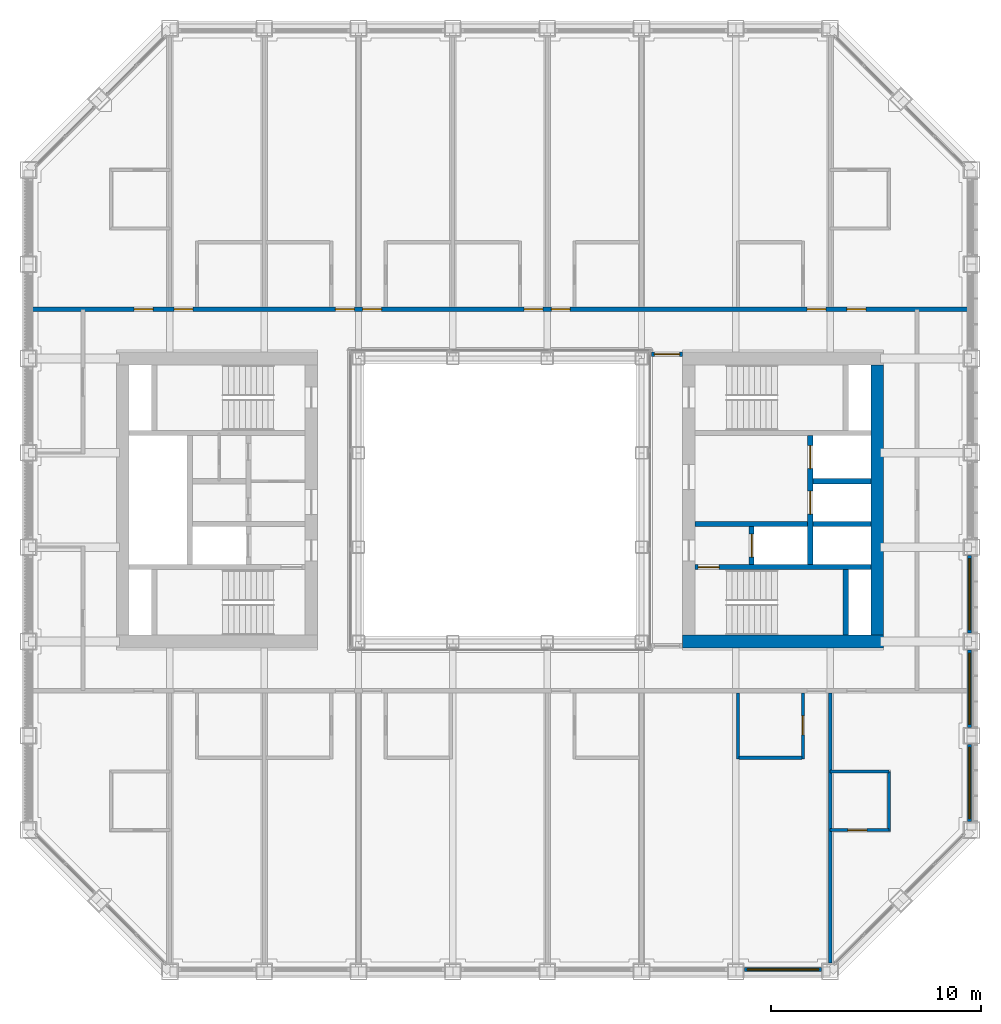
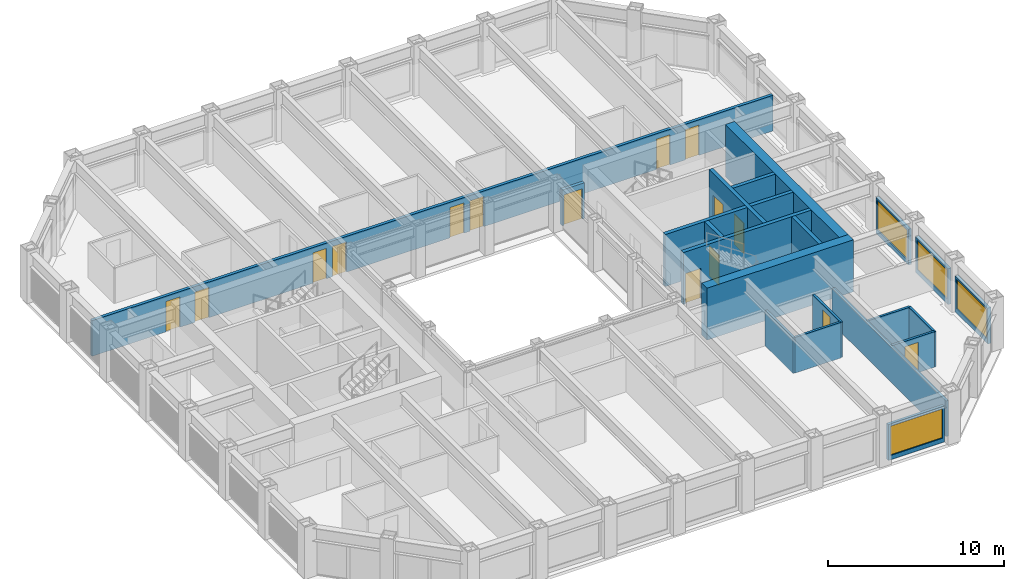
# One storey, part 12 of 17: 22 walls, 15 doors, 4 windows, 19 openings.
"""IFC4 building model written with IfcOpenShell, lengths in metres."""

from ifc_helpers import new_model, si_unit, direction, frame, frame_2d, origin, place, context, subcontext, project, spatial, rectangle, extrude, material, layer, layer_set, type_object, element, fill, save


model = new_model("IFC4")

# Units and contexts
model_context = context("Model", 3, precision=1e-05, world=origin(), true_north=direction((0.0, 1.0)))
body_context = subcontext(model_context, "Body", "Model", "MODEL_VIEW")
ifc_project = project(units=[si_unit("LENGTHUNIT", "METRE"), si_unit("AREAUNIT", "SQUARE_METRE"), si_unit("VOLUMEUNIT", "CUBIC_METRE"), si_unit("PLANEANGLEUNIT", "RADIAN"), si_unit("MASSUNIT", "GRAM", prefix="KILO")], contexts=[model_context])

# Site, building, storey
site_placement = place(None, origin())
site = spatial("IfcSite", under=ifc_project, at=site_placement, CompositionType="ELEMENT")
building_placement = place(site_placement, origin())
building = spatial("IfcBuilding", under=site, at=building_placement, Name="Msasa Ring Tower", CompositionType="ELEMENT")
storey_placement = place(building_placement, frame((0.0, 0.0, 147.199951171875)))
storey = spatial("IfcBuildingStorey", under=building, at=storey_placement, Name="L38", CompositionType="ELEMENT", Elevation=147.199951171875)

# Walls
ifc_material_1 = material(Name="Concrete C60/75", Category="concrete")
ifc_layer_1 = layer(ifc_material_1, 0.60009765625)
ifc_layer_set_1 = layer_set([ifc_layer_1], Name="CW2 CORE WALL 600")
wall_type_1 = type_object("IfcWallType", Name="CW2 CORE WALL 600", PredefinedType="SHEAR", material=ifc_layer_set_1)
wall_1_placement = place(storey_placement, frame((8.699951171875, -6.75, 0.0), z_axis=(0.0, 0.0, 1.0), x_axis=(1.0, 0.0, 0.0)))
element("IfcWall", 1, at=wall_1_placement, inside=storey, type_object=wall_type_1, Name="E core wall S L38", PredefinedType="SHEAR", context=body_context, shape_type="SweptSolid", body=[
    extrude(rectangle(XDim=9.60009765625, YDim=0.60009765625, at=frame_2d((4.800048828125, 0.0))), origin(), (0.0, 0.0, 1.0), 3.60009765625),
])
wall_2_placement = place(storey_placement, frame((18.0, -6.449951171875, 0.0), z_axis=(0.0, 0.0, 1.0), x_axis=(0.0, 1.0, 0.0)))
element("IfcWall", 2, at=wall_2_placement, inside=storey, type_object=wall_type_1, Name="E core wall E L38", PredefinedType="SHEAR", context=body_context, shape_type="SweptSolid", body=[
    extrude(rectangle(XDim=12.89990234375, YDim=0.60009765625, at=frame_2d((6.449951171875, 0.0))), origin(), (0.0, 0.0, 1.0), 3.60009765625),
])

# Wall, opening, door
ifc_material_2 = material(Name="Concrete C60/75", Category="concrete")
ifc_layer_2 = layer(ifc_material_2, 0.25)
ifc_layer_set_2 = layer_set([ifc_layer_2], Name="CW4 CORE INNER WALL 250")
wall_type_2 = type_object("IfcWallType", Name="CW4 CORE INNER WALL 250", PredefinedType="SHEAR", material=ifc_layer_set_2)
wall_3_placement = place(storey_placement, frame((9.300048828125, -3.199951171875, 0.0), z_axis=(0.0, 0.0, 1.0), x_axis=(1.0, 0.0, 0.0)))
wall_3 = element("IfcWall", 3, at=wall_3_placement, inside=storey, type_object=wall_type_2, Name="E core wall STAIRA L38", PredefinedType="SHEAR", context=body_context, shape_type="SweptSolid", body=[
    extrude(rectangle(XDim=8.39990234375, YDim=0.25, at=frame_2d((4.199951171875, 0.0))), origin(), (0.0, 0.0, 1.0), 3.60009765625),
])
opening_1_placement = place(wall_3_placement, frame((0.14990234375, 0.0, 0.0)))
opening_1 = element("IfcOpeningElement", 4, at=opening_1_placement, cuts=wall_3, Name="Opening HC-031", PredefinedType="OPENING", context=body_context, shape_type="SweptSolid", body=[
    extrude(rectangle(XDim=1.0, YDim=2.10009765625, at=frame_2d((0.5, 1.050048828125))), frame((0.0, 0.135009765625, 0.0), z_axis=(0.0, -1.0, 0.0), x_axis=(1.0, 0.0, 0.0)), (0.0, 0.0, 1.0), 0.27001953125),
])
ifc_material_3 = material(Name="Timber door leaf in a steel frame", Category="steel")
door_type_1 = type_object("IfcDoorType", Name="D6 STAIR DOOR 1000x2100", OperationType="SINGLE_SWING_LEFT", PredefinedType="DOOR", material=ifc_material_3)
door_1_placement = place(opening_1_placement, origin())
door_1 = element("IfcDoor", 5, at=door_1_placement, inside=storey, type_object=door_type_1, Name="Door L38-ESTA", OperationType="SINGLE_SWING_LEFT", OverallHeight=2.10009765625, OverallWidth=1.0, PredefinedType="DOOR", context=body_context, shape_type="SweptSolid", body=[
    extrude(rectangle(XDim=1.0, YDim=2.10009765625, at=frame_2d((0.5, 1.050048828125))), frame((0.0, 0.02490234375, 0.0), z_axis=(0.0, -1.0, 0.0), x_axis=(1.0, 0.0, 0.0)), (0.0, 0.0, 1.0), 0.050048828125),
])
fill(opening_1, door_1)

# Walls
wall_4_placement = place(storey_placement, frame((16.5, -6.449951171875, 0.0), z_axis=(0.0, 0.0, 1.0), x_axis=(0.0, 1.0, 0.0)))
element("IfcWall", 6, at=wall_4_placement, inside=storey, type_object=wall_type_2, Name="E core wall RISERA L38", PredefinedType="SHEAR", context=body_context, shape_type="SweptSolid", body=[
    extrude(rectangle(XDim=3.125, YDim=0.25, at=frame_2d((1.5625, 0.0))), origin(), (0.0, 0.0, 1.0), 3.60009765625),
])
wall_5_placement = place(storey_placement, frame((9.300048828125, -1.14990234375, 0.0), z_axis=(0.0, 0.0, 1.0), x_axis=(1.0, 0.0, 0.0)))
element("IfcWall", 7, at=wall_5_placement, inside=storey, type_object=wall_type_2, Name="E core wall FFL L38", PredefinedType="SHEAR", context=body_context, shape_type="SweptSolid", body=[
    extrude(rectangle(XDim=5.375, YDim=0.25, at=frame_2d((2.6875, 0.0))), origin(), (0.0, 0.0, 1.0), 3.60009765625),
])

# Wall, opening, door
wall_6_placement = place(storey_placement, frame((12.0, -3.074951171875, 0.0), z_axis=(0.0, 0.0, 1.0), x_axis=(0.0, 1.0, 0.0)))
wall_6 = element("IfcWall", 8, at=wall_6_placement, inside=storey, type_object=wall_type_2, Name="E core wall LOBBY L38", PredefinedType="SHEAR", context=body_context, shape_type="SweptSolid", body=[
    extrude(rectangle(XDim=1.800048828125, YDim=0.25, at=frame_2d((0.89990234375, 0.0))), origin(), (0.0, 0.0, 1.0), 3.60009765625),
])
opening_2_placement = place(wall_6_placement, frame((0.35009765625, 0.0, 0.0)))
opening_2 = element("IfcOpeningElement", 9, at=opening_2_placement, cuts=wall_6, Name="Opening LD1", PredefinedType="OPENING", context=body_context, shape_type="SweptSolid", body=[
    extrude(rectangle(XDim=1.10009765625, YDim=2.10009765625, at=frame_2d((0.550048828125, 1.050048828125))), frame((0.0, 0.135009765625, 0.0), z_axis=(0.0, -1.0, 0.0), x_axis=(1.0, 0.0, 0.0)), (0.0, 0.0, 1.0), 0.27001953125),
])
ifc_material_4 = material(Name="Stainless steel lift landing door", Category="steel")
door_type_2 = type_object("IfcDoorType", Name="LD1 LIFT LANDING DOOR 1100x2100", OperationType="DOUBLE_DOOR_SLIDING", PredefinedType="DOOR", material=ifc_material_4)
door_2_placement = place(opening_2_placement, origin())
door_2 = element("IfcDoor", 10, at=door_2_placement, inside=storey, type_object=door_type_2, Name="Lift landing door FL-E L38", OperationType="DOUBLE_DOOR_SLIDING", OverallHeight=2.10009765625, OverallWidth=1.10009765625, PredefinedType="DOOR", context=body_context, shape_type="SweptSolid", body=[
    extrude(rectangle(XDim=1.10009765625, YDim=2.10009765625, at=frame_2d((0.550048828125, 1.050048828125))), frame((0.0, 0.02490234375, 0.0), z_axis=(0.0, -1.0, 0.0), x_axis=(1.0, 0.0, 0.0)), (0.0, 0.0, 1.0), 0.050048828125),
])
fill(opening_2, door_2)

# Wall, openings, doors
wall_7_placement = place(storey_placement, frame((14.800048828125, -3.074951171875, 0.0), z_axis=(0.0, 0.0, 1.0), x_axis=(0.0, 1.0, 0.0)))
wall_7 = element("IfcWall", 11, at=wall_7_placement, inside=storey, type_object=wall_type_2, Name="E core wall SHAFT L38", PredefinedType="SHEAR", context=body_context, shape_type="SweptSolid", body=[
    extrude(rectangle(XDim=6.14990234375, YDim=0.25, at=frame_2d((3.074951171875, 0.0))), origin(), (0.0, 0.0, 1.0), 3.60009765625),
])
opening_3_placement = place(wall_7_placement, frame((2.39990234375, 0.0, 0.0)))
opening_3 = element("IfcOpeningElement", 12, at=opening_3_placement, cuts=wall_7, Name="Opening LD1", PredefinedType="OPENING", context=body_context, shape_type="SweptSolid", body=[
    extrude(rectangle(XDim=1.10009765625, YDim=2.10009765625, at=frame_2d((0.550048828125, 1.050048828125))), frame((0.0, 0.135009765625, 0.0), z_axis=(0.0, -1.0, 0.0), x_axis=(1.0, 0.0, 0.0)), (0.0, 0.0, 1.0), 0.27001953125),
])
opening_4_placement = place(wall_7_placement, frame((4.574951171875, 0.0, 0.0)))
opening_4 = element("IfcOpeningElement", 13, at=opening_4_placement, cuts=wall_7, Name="Opening LD1", PredefinedType="OPENING", context=body_context, shape_type="SweptSolid", body=[
    extrude(rectangle(XDim=1.10009765625, YDim=2.10009765625, at=frame_2d((0.550048828125, 1.050048828125))), frame((0.0, 0.135009765625, 0.0), z_axis=(0.0, -1.0, 0.0), x_axis=(1.0, 0.0, 0.0)), (0.0, 0.0, 1.0), 0.27001953125),
])
door_3_placement = place(opening_3_placement, origin())
door_3 = element("IfcDoor", 14, at=door_3_placement, inside=storey, type_object=door_type_2, Name="Lift landing door PL-H1 L38", OperationType="DOUBLE_DOOR_SLIDING", OverallHeight=2.10009765625, OverallWidth=1.10009765625, PredefinedType="DOOR", context=body_context, shape_type="SweptSolid", body=[
    extrude(rectangle(XDim=1.10009765625, YDim=2.10009765625, at=frame_2d((0.550048828125, 1.050048828125))), frame((0.0, 0.02490234375, 0.0), z_axis=(0.0, -1.0, 0.0), x_axis=(1.0, 0.0, 0.0)), (0.0, 0.0, 1.0), 0.050048828125),
])
fill(opening_3, door_3)
door_4_placement = place(opening_4_placement, origin())
door_4 = element("IfcDoor", 15, at=door_4_placement, inside=storey, type_object=door_type_2, Name="Lift landing door PL-H2 L38", OperationType="DOUBLE_DOOR_SLIDING", OverallHeight=2.10009765625, OverallWidth=1.10009765625, PredefinedType="DOOR", context=body_context, shape_type="SweptSolid", body=[
    extrude(rectangle(XDim=1.10009765625, YDim=2.10009765625, at=frame_2d((0.550048828125, 1.050048828125))), frame((0.0, 0.02490234375, 0.0), z_axis=(0.0, -1.0, 0.0), x_axis=(1.0, 0.0, 0.0)), (0.0, 0.0, 1.0), 0.050048828125),
])
fill(opening_4, door_4)

# Walls
for number, where, z_axis, x_axis, name in (
    (16, (14.925048828125, -1.14990234375, 0.0), (0.0, 0.0, 1.0), (1.0, 0.0, 0.0), "E core wall HSEP L38"),
    (17, (14.925048828125, 0.89990234375, 0.0), (0.0, 0.0, 1.0), (1.0, 0.0, 0.0), "E core wall HLIFT L38"),
):
    element("IfcWall", number, at=place(storey_placement, frame(where, z_axis=z_axis, x_axis=x_axis)), inside=storey, type_object=wall_type_2, Name=name, PredefinedType="SHEAR", context=body_context, shape_type="SweptSolid", body=[
        extrude(rectangle(XDim=2.77490234375, YDim=0.25, at=frame_2d((1.387451171875, 0.0))), origin(), (0.0, 0.0, 1.0), 3.60009765625),
    ])

# Wall, opening, window
ifc_material_5 = material(Name="Terracotta rainscreen on blockwork", Category="masonry")
ifc_layer_3 = layer(ifc_material_5, 0.199951171875)
ifc_layer_set_3 = layer_set([ifc_layer_3], Name="FW1 TERRACOTTA-LINED INFILL BAY WALL 200")
wall_type_3 = type_object("IfcWallType", Name="FW1 TERRACOTTA-LINED INFILL BAY WALL 200", PredefinedType="SOLIDWALL", material=ifc_layer_set_3)
wall_8_placement = place(storey_placement, frame((11.655029296875, -22.39990234375, 0.0), z_axis=(0.0, 0.0, 1.0), x_axis=(1.0, 0.0, 0.0)))
wall_8 = element("IfcWall", 18, at=wall_8_placement, inside=storey, type_object=wall_type_3, Name="Infill bay wall S L38 06", PredefinedType="SOLIDWALL", context=body_context, shape_type="SweptSolid", body=[
    extrude(rectangle(XDim=3.68994140625, YDim=0.199951171875, at=frame_2d((1.844970703125, 0.0))), origin(), (0.0, 0.0, 1.0), 2.47900390625),
])
opening_5_placement = place(wall_8_placement, frame((0.14501953125, 0.0, 0.300048828125)))
opening_5 = element("IfcOpeningElement", 19, at=opening_5_placement, cuts=wall_8, Name="Opening WN2", PredefinedType="OPENING", context=body_context, shape_type="SweptSolid", body=[
    extrude(rectangle(XDim=3.39990234375, YDim=2.029052734375, at=frame_2d((1.699951171875, 1.0146484375))), frame((0.0, 0.10986328125, 0.0), z_axis=(0.0, -1.0, 0.0), x_axis=(1.0, 0.0, 0.0)), (0.0, 0.0, 1.0), 0.219970703125),
])
ifc_material_6 = material(Name="Aluminium frame with clear glass", Category="aluminium")
window_type = type_object("IfcWindowType", Name="WN2 GUEST ROOM WINDOW 3400x2029", PartitioningType="SINGLE_PANEL", PredefinedType="WINDOW", material=ifc_material_6)
window_1_placement = place(opening_5_placement, origin())
window_1 = element("IfcWindow", 20, at=window_1_placement, inside=storey, type_object=window_type, Name="Window S L38 06", OverallHeight=2.029052734375, OverallWidth=3.39990234375, PartitioningType="SINGLE_PANEL", PredefinedType="WINDOW", context=body_context, shape_type="SweptSolid", body=[
    extrude(rectangle(XDim=3.39990234375, YDim=2.029052734375, at=frame_2d((1.699951171875, 1.0146484375))), frame((0.0, 0.030029296875, 0.0), z_axis=(0.0, -1.0, 0.0), x_axis=(1.0, 0.0, 0.0)), (0.0, 0.0, 1.0), 0.06005859375),
])
fill(opening_5, window_1)

wall_9_placement = place(storey_placement, frame((22.39990234375, -15.344970703125, 0.0), z_axis=(0.0, 0.0, 1.0), x_axis=(0.0, 1.0, 0.0)))
wall_9 = element("IfcWall", 21, at=wall_9_placement, inside=storey, type_object=wall_type_3, Name="Infill bay wall E L38 09", PredefinedType="SOLIDWALL", context=body_context, shape_type="SweptSolid", body=[
    extrude(rectangle(XDim=3.68994140625, YDim=0.199951171875, at=frame_2d((1.844970703125, 0.0))), origin(), (0.0, 0.0, 1.0), 2.47900390625),
])
opening_6_placement = place(wall_9_placement, frame((0.14501953125, 0.0, 0.300048828125)))
opening_6 = element("IfcOpeningElement", 22, at=opening_6_placement, cuts=wall_9, Name="Opening WN2", PredefinedType="OPENING", context=body_context, shape_type="SweptSolid", body=[
    extrude(rectangle(XDim=3.39990234375, YDim=2.029052734375, at=frame_2d((1.699951171875, 1.0146484375))), frame((0.0, 0.10986328125, 0.0), z_axis=(0.0, -1.0, 0.0), x_axis=(1.0, 0.0, 0.0)), (0.0, 0.0, 1.0), 0.219970703125),
])
window_2_placement = place(opening_6_placement, origin())
window_2 = element("IfcWindow", 23, at=window_2_placement, inside=storey, type_object=window_type, Name="Window E L38 09", OverallHeight=2.029052734375, OverallWidth=3.39990234375, PartitioningType="SINGLE_PANEL", PredefinedType="WINDOW", context=body_context, shape_type="SweptSolid", body=[
    extrude(rectangle(XDim=3.39990234375, YDim=2.029052734375, at=frame_2d((1.699951171875, 1.0146484375))), frame((0.0, 0.030029296875, 0.0), z_axis=(0.0, -1.0, 0.0), x_axis=(1.0, 0.0, 0.0)), (0.0, 0.0, 1.0), 0.06005859375),
])
fill(opening_6, window_2)

wall_10_placement = place(storey_placement, frame((22.39990234375, -10.844970703125, 0.0), z_axis=(0.0, 0.0, 1.0), x_axis=(0.0, 1.0, 0.0)))
wall_10 = element("IfcWall", 24, at=wall_10_placement, inside=storey, type_object=wall_type_3, Name="Infill bay wall E L38 10", PredefinedType="SOLIDWALL", context=body_context, shape_type="SweptSolid", body=[
    extrude(rectangle(XDim=3.68994140625, YDim=0.199951171875, at=frame_2d((1.844970703125, 0.0))), origin(), (0.0, 0.0, 1.0), 2.47900390625),
])
opening_7_placement = place(wall_10_placement, frame((0.14501953125, 0.0, 0.300048828125)))
opening_7 = element("IfcOpeningElement", 25, at=opening_7_placement, cuts=wall_10, Name="Opening WN2", PredefinedType="OPENING", context=body_context, shape_type="SweptSolid", body=[
    extrude(rectangle(XDim=3.39990234375, YDim=2.029052734375, at=frame_2d((1.699951171875, 1.0146484375))), frame((0.0, 0.10986328125, 0.0), z_axis=(0.0, -1.0, 0.0), x_axis=(1.0, 0.0, 0.0)), (0.0, 0.0, 1.0), 0.219970703125),
])
window_3_placement = place(opening_7_placement, origin())
window_3 = element("IfcWindow", 26, at=window_3_placement, inside=storey, type_object=window_type, Name="Window E L38 10", OverallHeight=2.029052734375, OverallWidth=3.39990234375, PartitioningType="SINGLE_PANEL", PredefinedType="WINDOW", context=body_context, shape_type="SweptSolid", body=[
    extrude(rectangle(XDim=3.39990234375, YDim=2.029052734375, at=frame_2d((1.699951171875, 1.0146484375))), frame((0.0, 0.030029296875, 0.0), z_axis=(0.0, -1.0, 0.0), x_axis=(1.0, 0.0, 0.0)), (0.0, 0.0, 1.0), 0.06005859375),
])
fill(opening_7, window_3)

wall_11_placement = place(storey_placement, frame((22.39990234375, -6.344970703125, 0.0), z_axis=(0.0, 0.0, 1.0), x_axis=(0.0, 1.0, 0.0)))
wall_11 = element("IfcWall", 27, at=wall_11_placement, inside=storey, type_object=wall_type_3, Name="Infill bay wall E L38 11", PredefinedType="SOLIDWALL", context=body_context, shape_type="SweptSolid", body=[
    extrude(rectangle(XDim=3.68994140625, YDim=0.199951171875, at=frame_2d((1.844970703125, 0.0))), origin(), (0.0, 0.0, 1.0), 2.47900390625),
])
opening_8_placement = place(wall_11_placement, frame((0.14501953125, 0.0, 0.300048828125)))
opening_8 = element("IfcOpeningElement", 28, at=opening_8_placement, cuts=wall_11, Name="Opening WN2", PredefinedType="OPENING", context=body_context, shape_type="SweptSolid", body=[
    extrude(rectangle(XDim=3.39990234375, YDim=2.029052734375, at=frame_2d((1.699951171875, 1.0146484375))), frame((0.0, 0.10986328125, 0.0), z_axis=(0.0, -1.0, 0.0), x_axis=(1.0, 0.0, 0.0)), (0.0, 0.0, 1.0), 0.219970703125),
])
window_4_placement = place(opening_8_placement, origin())
window_4 = element("IfcWindow", 29, at=window_4_placement, inside=storey, type_object=window_type, Name="Window E L38 11", OverallHeight=2.029052734375, OverallWidth=3.39990234375, PartitioningType="SINGLE_PANEL", PredefinedType="WINDOW", context=body_context, shape_type="SweptSolid", body=[
    extrude(rectangle(XDim=3.39990234375, YDim=2.029052734375, at=frame_2d((1.699951171875, 1.0146484375))), frame((0.0, 0.030029296875, 0.0), z_axis=(0.0, -1.0, 0.0), x_axis=(1.0, 0.0, 0.0)), (0.0, 0.0, 1.0), 0.06005859375),
])
fill(opening_8, window_4)

# Wall, opening, door
ifc_material_7 = material(Name="Concrete blockwork", Category="masonry")
ifc_layer_4 = layer(ifc_material_7, 0.199951171875)
ifc_layer_set_4 = layer_set([ifc_layer_4], Name="PT1 CORRIDOR WALL 200")
wall_type_4 = type_object("IfcWallType", Name="PT1 CORRIDOR WALL 200", PredefinedType="PARTITIONING", material=ifc_layer_set_4)
wall_12_placement = place(storey_placement, frame((7.22998046875, 6.949951171875, 0.0), z_axis=(0.0, 0.0, 1.0), x_axis=(1.0, 0.0, 0.0)))
wall_12 = element("IfcWall", 30, at=wall_12_placement, inside=storey, type_object=wall_type_4, Name="Corridor wall L38-SDEN", PredefinedType="PARTITIONING", context=body_context, shape_type="SweptSolid", body=[
    extrude(rectangle(XDim=1.469970703125, YDim=0.199951171875, at=frame_2d((0.73486328125, 0.0))), origin(), (0.0, 0.0, 1.0), 2.473388671875),
])
opening_9_placement = place(wall_12_placement, frame((0.135009765625, 0.0, 0.0)))
opening_9 = element("IfcOpeningElement", 31, at=opening_9_placement, cuts=wall_12, Name="Opening HC-017", PredefinedType="OPENING", context=body_context, shape_type="SweptSolid", body=[
    extrude(rectangle(XDim=1.199951171875, YDim=2.10009765625, at=frame_2d((0.60009765625, 1.050048828125))), frame((0.0, 0.10986328125, 0.0), z_axis=(0.0, -1.0, 0.0), x_axis=(1.0, 0.0, 0.0)), (0.0, 0.0, 1.0), 0.219970703125),
])
ifc_material_8 = material(Name="Timber door leaf in a steel frame", Category="steel")
door_type_3 = type_object("IfcDoorType", Name="D25 CORRIDOR PAIR OF SMOKE DOORS 1200x2100", OperationType="DOUBLE_DOOR_DOUBLE_SWING", PredefinedType="DOOR", material=ifc_material_8)
door_5_placement = place(opening_9_placement, origin())
door_5 = element("IfcDoor", 32, at=door_5_placement, inside=storey, type_object=door_type_3, Name="Door L38-SDEN", OperationType="DOUBLE_DOOR_DOUBLE_SWING", OverallHeight=2.10009765625, OverallWidth=1.199951171875, PredefinedType="DOOR", context=body_context, shape_type="SweptSolid", body=[
    extrude(rectangle(XDim=1.199951171875, YDim=2.10009765625, at=frame_2d((0.60009765625, 1.050048828125))), frame((0.0, 0.02490234375, 0.0), z_axis=(0.0, -1.0, 0.0), x_axis=(1.0, 0.0, 0.0)), (0.0, 0.0, 1.0), 0.050048828125),
])
fill(opening_9, door_5)

# Wall, openings, doors
wall_13_placement = place(storey_placement, frame((-22.300048828125, 9.10009765625, 0.0), z_axis=(0.0, 0.0, 1.0), x_axis=(1.0, 0.0, 0.0)))
wall_13 = element("IfcWall", 33, at=wall_13_placement, inside=storey, type_object=wall_type_4, Name="Corridor wall L38-CORRN0", PredefinedType="PARTITIONING", context=body_context, shape_type="SweptSolid", body=[
    extrude(rectangle(XDim=44.60009765625, YDim=0.199951171875, at=frame_2d((22.300048828125, 0.0))), origin(), (0.0, 0.0, 1.0), 2.473388671875),
])
opening_10_placement = place(wall_13_placement, frame((6.75, 0.0, 0.0)))
opening_10 = element("IfcOpeningElement", 34, at=opening_10_placement, cuts=wall_13, Name="Opening HC-010", PredefinedType="OPENING", context=body_context, shape_type="SweptSolid", body=[
    extrude(rectangle(XDim=0.89990234375, YDim=2.10009765625, at=frame_2d((0.449951171875, 1.050048828125))), frame((0.0, 0.10986328125, 0.0), z_axis=(0.0, -1.0, 0.0), x_axis=(1.0, 0.0, 0.0)), (0.0, 0.0, 1.0), 0.219970703125),
])
opening_11_placement = place(wall_13_placement, frame((14.449951171875, 0.0, 0.0)))
opening_11 = element("IfcOpeningElement", 35, at=opening_11_placement, cuts=wall_13, Name="Opening HC-011", PredefinedType="OPENING", context=body_context, shape_type="SweptSolid", body=[
    extrude(rectangle(XDim=0.89990234375, YDim=2.10009765625, at=frame_2d((0.449951171875, 1.050048828125))), frame((0.0, 0.10986328125, 0.0), z_axis=(0.0, -1.0, 0.0), x_axis=(1.0, 0.0, 0.0)), (0.0, 0.0, 1.0), 0.219970703125),
])
opening_12_placement = place(wall_13_placement, frame((15.75, 0.0, 0.0)))
opening_12 = element("IfcOpeningElement", 36, at=opening_12_placement, cuts=wall_13, Name="Opening HC-012", PredefinedType="OPENING", context=body_context, shape_type="SweptSolid", body=[
    extrude(rectangle(XDim=0.89990234375, YDim=2.10009765625, at=frame_2d((0.449951171875, 1.050048828125))), frame((0.0, 0.10986328125, 0.0), z_axis=(0.0, -1.0, 0.0), x_axis=(1.0, 0.0, 0.0)), (0.0, 0.0, 1.0), 0.219970703125),
])
opening_13_placement = place(wall_13_placement, frame((23.449951171875, 0.0, 0.0)))
opening_13 = element("IfcOpeningElement", 37, at=opening_13_placement, cuts=wall_13, Name="Opening HC-013", PredefinedType="OPENING", context=body_context, shape_type="SweptSolid", body=[
    extrude(rectangle(XDim=0.89990234375, YDim=2.10009765625, at=frame_2d((0.449951171875, 1.050048828125))), frame((0.0, 0.10986328125, 0.0), z_axis=(0.0, -1.0, 0.0), x_axis=(1.0, 0.0, 0.0)), (0.0, 0.0, 1.0), 0.219970703125),
])
opening_14_placement = place(wall_13_placement, frame((24.75, 0.0, 0.0)))
opening_14 = element("IfcOpeningElement", 38, at=opening_14_placement, cuts=wall_13, Name="Opening HC-014", PredefinedType="OPENING", context=body_context, shape_type="SweptSolid", body=[
    extrude(rectangle(XDim=0.89990234375, YDim=2.10009765625, at=frame_2d((0.449951171875, 1.050048828125))), frame((0.0, 0.10986328125, 0.0), z_axis=(0.0, -1.0, 0.0), x_axis=(1.0, 0.0, 0.0)), (0.0, 0.0, 1.0), 0.219970703125),
])
opening_15_placement = place(wall_13_placement, frame((36.949951171875, 0.0, 0.0)))
opening_15 = element("IfcOpeningElement", 39, at=opening_15_placement, cuts=wall_13, Name="Opening HC-015", PredefinedType="OPENING", context=body_context, shape_type="SweptSolid", body=[
    extrude(rectangle(XDim=0.89990234375, YDim=2.10009765625, at=frame_2d((0.449951171875, 1.050048828125))), frame((0.0, 0.10986328125, 0.0), z_axis=(0.0, -1.0, 0.0), x_axis=(1.0, 0.0, 0.0)), (0.0, 0.0, 1.0), 0.219970703125),
])
opening_16_placement = place(wall_13_placement, frame((38.85009765625, 0.0, 0.0)))
opening_16 = element("IfcOpeningElement", 40, at=opening_16_placement, cuts=wall_13, Name="Opening HC-016", PredefinedType="OPENING", context=body_context, shape_type="SweptSolid", body=[
    extrude(rectangle(XDim=0.89990234375, YDim=2.10009765625, at=frame_2d((0.449951171875, 1.050048828125))), frame((0.0, 0.10986328125, 0.0), z_axis=(0.0, -1.0, 0.0), x_axis=(1.0, 0.0, 0.0)), (0.0, 0.0, 1.0), 0.219970703125),
])
opening_17_placement = place(wall_13_placement, frame((4.85009765625, 0.0, 0.0)))
opening_17 = element("IfcOpeningElement", 41, at=opening_17_placement, cuts=wall_13, Name="Opening HC-009", PredefinedType="OPENING", context=body_context, shape_type="SweptSolid", body=[
    extrude(rectangle(XDim=0.89990234375, YDim=2.10009765625, at=frame_2d((0.449951171875, 1.050048828125))), frame((0.0, 0.10986328125, 0.0), z_axis=(0.0, -1.0, 0.0), x_axis=(1.0, 0.0, 0.0)), (0.0, 0.0, 1.0), 0.219970703125),
])
ifc_material_9 = material(Name="Timber door leaf in a steel frame", Category="steel")
door_type_4 = type_object("IfcDoorType", Name="D1 SINGLE DOOR TO CORRIDOR 900x2100", OperationType="SINGLE_SWING_LEFT", PredefinedType="DOOR", material=ifc_material_9)
door_6_placement = place(opening_10_placement, origin())
door_6 = element("IfcDoor", 42, at=door_6_placement, inside=storey, type_object=door_type_4, Name="Door L38-GN00", OperationType="SINGLE_SWING_LEFT", OverallHeight=2.10009765625, OverallWidth=0.89990234375, PredefinedType="DOOR", context=body_context, shape_type="SweptSolid", body=[
    extrude(rectangle(XDim=0.89990234375, YDim=2.10009765625, at=frame_2d((0.449951171875, 1.050048828125))), frame((0.0, 0.02490234375, 0.0), z_axis=(0.0, -1.0, 0.0), x_axis=(1.0, 0.0, 0.0)), (0.0, 0.0, 1.0), 0.050048828125),
])
fill(opening_10, door_6)
door_7_placement = place(opening_11_placement, origin())
door_7 = element("IfcDoor", 43, at=door_7_placement, inside=storey, type_object=door_type_4, Name="Door L38-GN01", OperationType="SINGLE_SWING_LEFT", OverallHeight=2.10009765625, OverallWidth=0.89990234375, PredefinedType="DOOR", context=body_context, shape_type="SweptSolid", body=[
    extrude(rectangle(XDim=0.89990234375, YDim=2.10009765625, at=frame_2d((0.449951171875, 1.050048828125))), frame((0.0, 0.02490234375, 0.0), z_axis=(0.0, -1.0, 0.0), x_axis=(1.0, 0.0, 0.0)), (0.0, 0.0, 1.0), 0.050048828125),
])
fill(opening_11, door_7)
door_8_placement = place(opening_12_placement, origin())
door_8 = element("IfcDoor", 44, at=door_8_placement, inside=storey, type_object=door_type_4, Name="Door L38-GN02", OperationType="SINGLE_SWING_LEFT", OverallHeight=2.10009765625, OverallWidth=0.89990234375, PredefinedType="DOOR", context=body_context, shape_type="SweptSolid", body=[
    extrude(rectangle(XDim=0.89990234375, YDim=2.10009765625, at=frame_2d((0.449951171875, 1.050048828125))), frame((0.0, 0.02490234375, 0.0), z_axis=(0.0, -1.0, 0.0), x_axis=(1.0, 0.0, 0.0)), (0.0, 0.0, 1.0), 0.050048828125),
])
fill(opening_12, door_8)
door_9_placement = place(opening_13_placement, origin())
door_9 = element("IfcDoor", 45, at=door_9_placement, inside=storey, type_object=door_type_4, Name="Door L38-GN03", OperationType="SINGLE_SWING_RIGHT", OverallHeight=2.10009765625, OverallWidth=0.89990234375, PredefinedType="DOOR", context=body_context, shape_type="SweptSolid", body=[
    extrude(rectangle(XDim=0.89990234375, YDim=2.10009765625, at=frame_2d((0.449951171875, 1.050048828125))), frame((0.0, 0.02490234375, 0.0), z_axis=(0.0, -1.0, 0.0), x_axis=(1.0, 0.0, 0.0)), (0.0, 0.0, 1.0), 0.050048828125),
])
fill(opening_13, door_9)
door_10_placement = place(opening_14_placement, origin())
door_10 = element("IfcDoor", 46, at=door_10_placement, inside=storey, type_object=door_type_4, Name="Door L38-GN04", OperationType="SINGLE_SWING_RIGHT", OverallHeight=2.10009765625, OverallWidth=0.89990234375, PredefinedType="DOOR", context=body_context, shape_type="SweptSolid", body=[
    extrude(rectangle(XDim=0.89990234375, YDim=2.10009765625, at=frame_2d((0.449951171875, 1.050048828125))), frame((0.0, 0.02490234375, 0.0), z_axis=(0.0, -1.0, 0.0), x_axis=(1.0, 0.0, 0.0)), (0.0, 0.0, 1.0), 0.050048828125),
])
fill(opening_14, door_10)
door_11_placement = place(opening_15_placement, origin())
door_11 = element("IfcDoor", 47, at=door_11_placement, inside=storey, type_object=door_type_4, Name="Door L38-GN05", OperationType="SINGLE_SWING_RIGHT", OverallHeight=2.10009765625, OverallWidth=0.89990234375, PredefinedType="DOOR", context=body_context, shape_type="SweptSolid", body=[
    extrude(rectangle(XDim=0.89990234375, YDim=2.10009765625, at=frame_2d((0.449951171875, 1.050048828125))), frame((0.0, 0.02490234375, 0.0), z_axis=(0.0, -1.0, 0.0), x_axis=(1.0, 0.0, 0.0)), (0.0, 0.0, 1.0), 0.050048828125),
])
fill(opening_15, door_11)
ifc_material_10 = material(Name="Timber door leaf in a steel frame", Category="steel")
door_type_5 = type_object("IfcDoorType", Name="D2 ENTRANCE DOOR 900x2100", OperationType="SINGLE_SWING_LEFT", PredefinedType="DOOR", material=ifc_material_10)
door_12_placement = place(opening_16_placement, origin())
door_12 = element("IfcDoor", 48, at=door_12_placement, inside=storey, type_object=door_type_5, Name="Door L38-CSNE", OperationType="SINGLE_SWING_RIGHT", OverallHeight=2.10009765625, OverallWidth=0.89990234375, PredefinedType="DOOR", context=body_context, shape_type="SweptSolid", body=[
    extrude(rectangle(XDim=0.89990234375, YDim=2.10009765625, at=frame_2d((0.449951171875, 1.050048828125))), frame((0.0, 0.02490234375, 0.0), z_axis=(0.0, -1.0, 0.0), x_axis=(1.0, 0.0, 0.0)), (0.0, 0.0, 1.0), 0.050048828125),
])
fill(opening_16, door_12)
door_13_placement = place(opening_17_placement, origin())
door_13 = element("IfcDoor", 49, at=door_13_placement, inside=storey, type_object=door_type_5, Name="Door L38-CSNW", OperationType="SINGLE_SWING_LEFT", OverallHeight=2.10009765625, OverallWidth=0.89990234375, PredefinedType="DOOR", context=body_context, shape_type="SweptSolid", body=[
    extrude(rectangle(XDim=0.89990234375, YDim=2.10009765625, at=frame_2d((0.449951171875, 1.050048828125))), frame((0.0, 0.02490234375, 0.0), z_axis=(0.0, -1.0, 0.0), x_axis=(1.0, 0.0, 0.0)), (0.0, 0.0, 1.0), 0.050048828125),
])
fill(opening_17, door_13)

# Wall, opening, door
ifc_material_11 = material(Name="Moisture-resistant board on steel studs with a concealed cistern and pipe void, tiled", Category="steel")
ifc_layer_5 = layer(ifc_material_11, 0.14990234375)
ifc_layer_set_5 = layer_set([ifc_layer_5], Name="PT4 BATHROOM WET WALL 150")
wall_type_5 = type_object("IfcWallType", Name="PT4 BATHROOM WET WALL 150", PredefinedType="PARTITIONING", material=ifc_layer_set_5)
wall_14_placement = place(storey_placement, frame((14.449951171875, -12.35009765625, 0.0), z_axis=(0.0, 0.0, 1.0), x_axis=(0.0, 1.0, 0.0)))
wall_14 = element("IfcWall", 50, at=wall_14_placement, inside=storey, type_object=wall_type_5, Name="Partition L38-GS04BX", PredefinedType="PARTITIONING", context=body_context, shape_type="SweptSolid", body=[
    extrude(rectangle(XDim=3.150146484375, YDim=0.14990234375, at=frame_2d((1.5751953125, 0.0))), origin(), (0.0, 0.0, 1.0), 2.473388671875),
])
opening_18_placement = place(wall_14_placement, frame((1.14990234375, 0.0, 0.0)))
opening_18 = element("IfcOpeningElement", 51, at=opening_18_placement, cuts=wall_14, Name="Opening HC-045", PredefinedType="OPENING", context=body_context, shape_type="SweptSolid", body=[
    extrude(rectangle(XDim=0.89990234375, YDim=2.10009765625, at=frame_2d((0.449951171875, 1.050048828125))), frame((0.0, 0.0849609375, 0.0), z_axis=(0.0, -1.0, 0.0), x_axis=(1.0, 0.0, 0.0)), (0.0, 0.0, 1.0), 0.169921875),
])
ifc_material_12 = material(Name="Timber door leaf in a steel frame", Category="steel")
door_type_6 = type_object("IfcDoorType", Name="D3 BATHROOM DOOR 900x2100", OperationType="SINGLE_SWING_LEFT", PredefinedType="DOOR", material=ifc_material_12)
door_14_placement = place(opening_18_placement, origin())
door_14 = element("IfcDoor", 52, at=door_14_placement, inside=storey, type_object=door_type_6, Name="Door L38-GS04B", OperationType="SINGLE_SWING_LEFT", OverallHeight=2.10009765625, OverallWidth=0.89990234375, PredefinedType="DOOR", context=body_context, shape_type="SweptSolid", body=[
    extrude(rectangle(XDim=0.89990234375, YDim=2.10009765625, at=frame_2d((0.449951171875, 1.050048828125))), frame((0.0, 0.02490234375, 0.0), z_axis=(0.0, -1.0, 0.0), x_axis=(1.0, 0.0, 0.0)), (0.0, 0.0, 1.0), 0.050048828125),
])
fill(opening_18, door_14)

# Walls
wall_15_placement = place(storey_placement, frame((11.35009765625, -12.35009765625, 0.0), z_axis=(0.0, 0.0, 1.0), x_axis=(0.0, 1.0, 0.0)))
element("IfcWall", 53, at=wall_15_placement, inside=storey, type_object=wall_type_5, Name="Partition L38-GS04BF", PredefinedType="PARTITIONING", context=body_context, shape_type="SweptSolid", body=[
    extrude(rectangle(XDim=3.150146484375, YDim=0.14990234375, at=frame_2d((1.5751953125, 0.0))), origin(), (0.0, 0.0, 1.0), 2.473388671875),
])
wall_16_placement = place(storey_placement, frame((11.39990234375, -12.300048828125, 0.0), z_axis=(0.0, 0.0, 1.0), x_axis=(1.0, 0.0, 0.0)))
element("IfcWall", 54, at=wall_16_placement, inside=storey, type_object=wall_type_5, Name="Partition L38-GS04BY", PredefinedType="PARTITIONING", context=body_context, shape_type="SweptSolid", body=[
    extrude(rectangle(XDim=3.0, YDim=0.14990234375, at=frame_2d((1.5, 0.0))), origin(), (0.0, 0.0, 1.0), 2.473388671875),
])
wall_17_placement = place(storey_placement, frame((18.550048828125, -15.824951171875, 0.0), z_axis=(0.0, 0.0, 1.0), x_axis=(0.0, 1.0, 0.0)))
element("IfcWall", 55, at=wall_17_placement, inside=storey, type_object=wall_type_5, Name="Partition L38-CSSEBX", PredefinedType="PARTITIONING", context=body_context, shape_type="SweptSolid", body=[
    extrude(rectangle(XDim=2.875, YDim=0.14990234375, at=frame_2d((1.4375, 0.0))), origin(), (0.0, 0.0, 1.0), 2.473388671875),
])
wall_18_placement = place(storey_placement, frame((15.75, -12.949951171875, 0.0), z_axis=(0.0, 0.0, 1.0), x_axis=(1.0, 0.0, 0.0)))
element("IfcWall", 56, at=wall_18_placement, inside=storey, type_object=wall_type_5, Name="Partition L38-CSSEBY", PredefinedType="PARTITIONING", context=body_context, shape_type="SweptSolid", body=[
    extrude(rectangle(XDim=2.800048828125, YDim=0.14990234375, at=frame_2d((1.39990234375, 0.0))), origin(), (0.0, 0.0, 1.0), 2.473388671875),
])

# Wall, opening, door
wall_19_placement = place(storey_placement, frame((15.75, -15.75, 0.0), z_axis=(0.0, 0.0, 1.0), x_axis=(1.0, 0.0, 0.0)))
wall_19 = element("IfcWall", 57, at=wall_19_placement, inside=storey, type_object=wall_type_5, Name="Partition L38-CSSEBZ", PredefinedType="PARTITIONING", context=body_context, shape_type="SweptSolid", body=[
    extrude(rectangle(XDim=2.800048828125, YDim=0.14990234375, at=frame_2d((1.39990234375, 0.0))), origin(), (0.0, 0.0, 1.0), 2.473388671875),
])
opening_19_placement = place(wall_19_placement, frame((0.85009765625, 0.0, 0.0)))
opening_19 = element("IfcOpeningElement", 58, at=opening_19_placement, cuts=wall_19, Name="Opening HC-047", PredefinedType="OPENING", context=body_context, shape_type="SweptSolid", body=[
    extrude(rectangle(XDim=0.89990234375, YDim=2.10009765625, at=frame_2d((0.449951171875, 1.050048828125))), frame((0.0, 0.0849609375, 0.0), z_axis=(0.0, -1.0, 0.0), x_axis=(1.0, 0.0, 0.0)), (0.0, 0.0, 1.0), 0.169921875),
])
door_15_placement = place(opening_19_placement, origin())
door_15 = element("IfcDoor", 59, at=door_15_placement, inside=storey, type_object=door_type_6, Name="Door L38-CSSEB1", OperationType="SINGLE_SWING_LEFT", OverallHeight=2.10009765625, OverallWidth=0.89990234375, PredefinedType="DOOR", context=body_context, shape_type="SweptSolid", body=[
    extrude(rectangle(XDim=0.89990234375, YDim=2.10009765625, at=frame_2d((0.449951171875, 1.050048828125))), frame((0.0, 0.02490234375, 0.0), z_axis=(0.0, -1.0, 0.0), x_axis=(1.0, 0.0, 0.0)), (0.0, 0.0, 1.0), 0.050048828125),
])
fill(opening_19, door_15)

# Wall
ifc_material_13 = material(Name="Twin steel studs, two layers of acoustic board each face, mineral wool", Category="steel")
ifc_layer_6 = layer(ifc_material_13, 0.175048828125)
ifc_layer_set_6 = layer_set([ifc_layer_6], Name="PT5 GUEST ROOM SEPARATING WALL 175")
wall_type_6 = type_object("IfcWallType", Name="PT5 GUEST ROOM SEPARATING WALL 175", PredefinedType="PARTITIONING", material=ifc_layer_set_6)
wall_20_placement = place(storey_placement, frame((15.75, -22.10009765625, 0.0), z_axis=(0.0, 0.0, 1.0), x_axis=(0.0, 1.0, 0.0)))
element("IfcWall", 60, at=wall_20_placement, inside=storey, type_object=wall_type_6, Name="Partition L38-PWS+15.75", PredefinedType="PARTITIONING", context=body_context, shape_type="SweptSolid", body=[
    extrude(rectangle(XDim=12.900146484375, YDim=0.175048828125, at=frame_2d((6.4501953125, 0.0))), origin(), (0.0, 0.0, 1.0), 2.473388671875),
])

save(model, "model.ifc")
